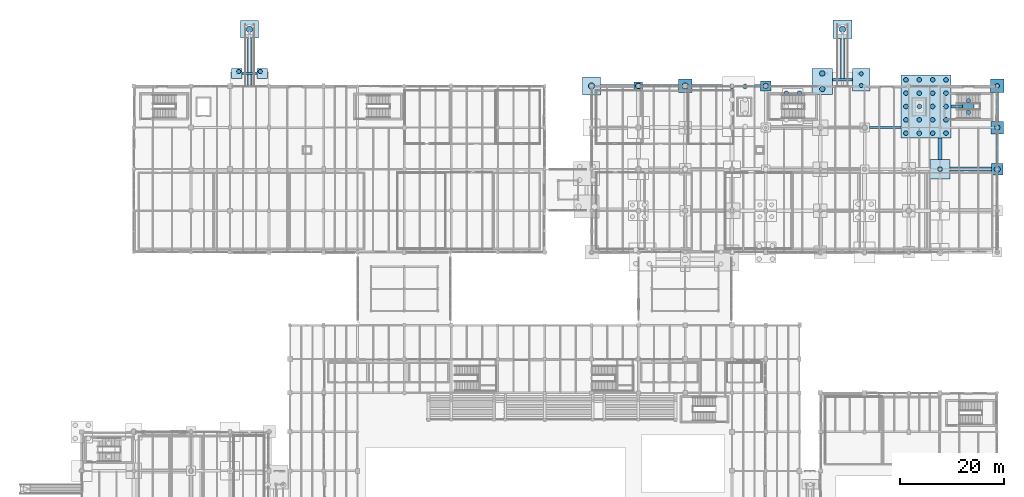
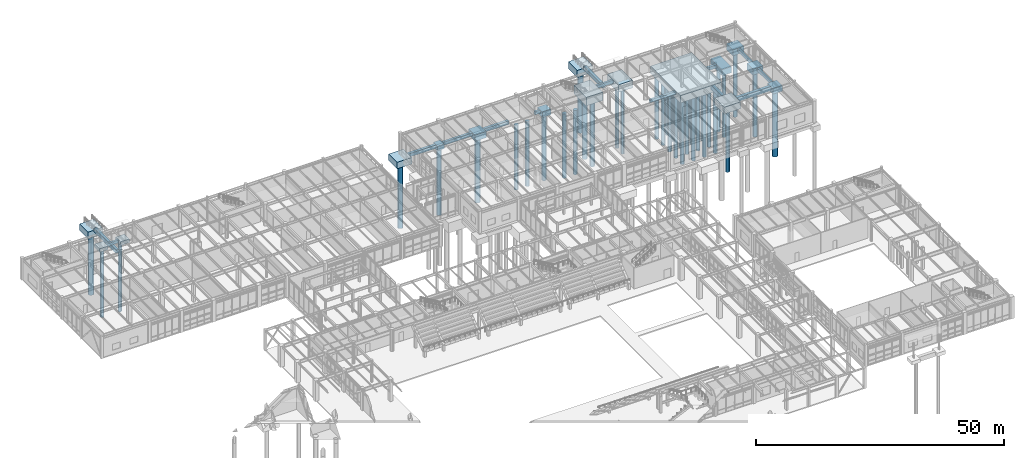
# One storey, part 6 of 203: 42 piles, 30 footings.
"""IFC4 building model written with IfcOpenShell, lengths in metres."""

import ifcopenshell
import ifcopenshell.guid

model = None  # the IFC model being written
_history = None  # IfcOwnerHistory: only IFC2X3 demands one
_inside = {}  # id of a spatial element -> (the spatial element, [elements in it])
_under = {}  # id of a project, library or spatial element -> (it, [spatial elements below it])
_declared = {}  # id of a project -> (the project, [libraries it declares])
_typed = {}  # id of a type object -> (the type object, [elements of that type])
_made_of = {}  # id of a material, layer set ... -> (it, [elements and type objects made of it])


def new_model(schema):
    """Start an empty IFC model of exactly this schema.

    Asked for "IFC4X3", IfcOpenShell would pick the latest addendum, in which some entities
    have other attributes; the version numbers below select the first issue.
    IFC2X3 requires an IfcOwnerHistory on every rooted entity: one is made here for all.
    """
    global model, _history
    if schema == "IFC4X3":
        model = ifcopenshell.file(schema_version=(4, 3, 0, 0))
    else:
        model = ifcopenshell.file(schema=schema)
    _inside.clear()
    _under.clear()
    _declared.clear()
    _typed.clear()
    _made_of.clear()
    _history = None
    if model.schema == "IFC2X3":
        org = make("IfcOrganization", Name="unknown")
        user = make(
            "IfcPersonAndOrganization",
            ThePerson=make("IfcPerson", FamilyName="unknown"),
            TheOrganization=org,
        )
        app = make(
            "IfcApplication",
            ApplicationDeveloper=org,
            Version="unknown",
            ApplicationFullName="unknown",
            ApplicationIdentifier="unknown",
        )
        _history = make(
            "IfcOwnerHistory",
            OwningUser=user,
            OwningApplication=app,
            ChangeAction="ADDED",
            CreationDate=0,
        )
    return model


def make(cls, **values):
    """One entity of the class cls with the attributes given. An attribute that is None is left unset."""
    return model.create_entity(
        cls, **{name: value for name, value in values.items() if value is not None}
    )


def rooted(cls, **values):
    """An entity with a GlobalId (a new one), such as an element, a storey or a relation."""
    return make(cls, GlobalId=ifcopenshell.guid.new(), OwnerHistory=_history, **values)


def si_unit(unit_type, name, prefix=None):
    """IfcSIUnit, for example si_unit("LENGTHUNIT", "METRE", prefix="MILLI")."""
    return make("IfcSIUnit", UnitType=unit_type, Prefix=prefix, Name=name)


def assignment(units):
    """IfcUnitAssignment: the units of a project."""
    return None if units is None else make("IfcUnitAssignment", Units=units)


def point(xyz):
    """IfcCartesianPoint."""
    return None if xyz is None else make("IfcCartesianPoint", Coordinates=xyz)


def direction(xyz):
    """IfcDirection."""
    return None if xyz is None else make("IfcDirection", DirectionRatios=xyz)


def frame(location, z_axis=None, x_axis=None):
    """IfcAxis2Placement3D, a coordinate frame: its origin and axes. An axis left out is left unset."""
    return make(
        "IfcAxis2Placement3D",
        Location=point(location),
        Axis=direction(z_axis),
        RefDirection=direction(x_axis),
    )


def frame_2d(location, x_axis=None):
    """IfcAxis2Placement2D, a coordinate frame in the plane: its origin and x axis."""
    return make(
        "IfcAxis2Placement2D", Location=point(location), RefDirection=direction(x_axis)
    )


def origin():
    """The frame at (0, 0, 0) with its axes left unset."""
    return frame((0.0, 0.0, 0.0))


def origin_2d():
    """The frame at (0, 0) in the plane with its x axis left unset."""
    return frame_2d((0.0, 0.0))


def place(relative_to, where):
    """IfcLocalPlacement: puts the frame where relative to a parent placement (None: the world)."""
    return make(
        "IfcLocalPlacement", PlacementRelTo=relative_to, RelativePlacement=where
    )


def context(
    kind, dimensions, precision=None, world=None, true_north=None, identifier=None
):
    """IfcGeometricRepresentationContext, for example the 3D "Model" context."""
    return make(
        "IfcGeometricRepresentationContext",
        ContextIdentifier=identifier,
        ContextType=kind,
        CoordinateSpaceDimension=dimensions,
        Precision=precision,
        WorldCoordinateSystem=world,
        TrueNorth=true_north,
    )


def subcontext(parent, identifier, kind, view, scale=None):
    """IfcGeometricRepresentationSubContext, for example "Body" below "Model"."""
    return make(
        "IfcGeometricRepresentationSubContext",
        ContextIdentifier=identifier,
        ContextType=kind,
        ParentContext=parent,
        TargetScale=scale,
        TargetView=view,
    )


def project(units=None, contexts=None):
    """IfcProject with its units and contexts."""
    return rooted(
        "IfcProject",
        Name="project",
        RepresentationContexts=contexts,
        UnitsInContext=assignment(units),
    )


def spatial(cls, under=None, at=None, **own):
    """A site, building, storey or space (cls), placed at a placement, below another one or the project."""
    s = rooted(cls, ObjectPlacement=at, **own)
    if under is not None:
        _under.setdefault(under.id(), (under, []))[1].append(s)
    return s


def polyline(points):
    """IfcPolyline through the points."""
    return make("IfcPolyline", Points=[point(p) for p in points])


def profile(cls, at=None, kind="AREA", **sizes):
    """A parametric profile (cls). Its sizes go by their IFC names, for example OverallWidth=200.0."""
    return make(cls, ProfileType=kind, Position=at, **sizes)


def circle(**sizes):
    """IfcCircleProfileDef."""
    return profile("IfcCircleProfileDef", **sizes)


def outline(outer, holes=None, kind="AREA"):
    """IfcArbitraryClosedProfileDef: a profile drawn as a closed curve; with holes, ...WithVoids."""
    if holes is None:
        return make("IfcArbitraryClosedProfileDef", ProfileType=kind, OuterCurve=outer)
    return make(
        "IfcArbitraryProfileDefWithVoids",
        ProfileType=kind,
        OuterCurve=outer,
        InnerCurves=holes,
    )


def extrude(swept, where, along, depth):
    """IfcExtrudedAreaSolid: the profile swept, set in the frame where, extruded along a direction by depth."""
    return make(
        "IfcExtrudedAreaSolid",
        SweptArea=swept,
        Position=where,
        ExtrudedDirection=direction(along),
        Depth=depth,
    )


def shape(context_of_items, identifier, shape_type, items):
    """IfcShapeRepresentation: the items that make up one representation, for example the "Body"."""
    return make(
        "IfcShapeRepresentation",
        ContextOfItems=context_of_items,
        RepresentationIdentifier=identifier,
        RepresentationType=shape_type,
        Items=items,
    )


def material(Name=None, Category=None):
    """IfcMaterial."""
    return make("IfcMaterial", Name=Name, Category=Category)


def material_profile(
    of_material, cross_section, Name=None, Category=None, Priority=None
):
    """IfcMaterialProfile: a cross section and its material."""
    return make(
        "IfcMaterialProfile",
        Name=Name,
        Material=of_material,
        Profile=cross_section,
        Priority=Priority,
        Category=Category,
    )


def profile_set(profiles, Name=None, composite=None):
    """IfcMaterialProfileSet."""
    return make(
        "IfcMaterialProfileSet",
        Name=Name,
        MaterialProfiles=profiles,
        CompositeProfile=composite,
    )


def made_of(thing, what):
    """Note that an element or type object is made of a material, layer set ...; save() writes the relation."""
    if what is not None:
        _made_of.setdefault(what.id(), (what, []))[1].append(thing)
    return thing


def type_object(cls, material=None, **own):
    """A type object (cls), such as IfcWallType, which elements share."""
    return made_of(rooted(cls, **own), material)


def element(
    cls,
    number,
    at=None,
    inside=None,
    cuts=None,
    type_object=None,
    material=None,
    context=None,
    identifier="Body",
    shape_type=None,
    held_by="IfcProductDefinitionShape",
    body=None,
    shapes=None,
    **own,
):
    """One element of the class cls, such as IfcWall. Its Tag is "e" and its number.

    at: its placement. inside: the storey or other place that contains it. cuts: it is an
    opening in that element (IfcRelVoidsElement). A single representation is given by context,
    identifier, shape_type and body (its items); several are given by shapes. held_by: the class
    of the entity that holds the representations. save() writes the other relations.
    """
    e = rooted(cls, Tag="e%d" % number, ObjectPlacement=at, **own)
    if body is not None:
        shapes = [shape(context, identifier, shape_type, body)]
    if shapes is not None:
        e.Representation = make(held_by, Representations=shapes)
    if inside is not None:
        _inside.setdefault(inside.id(), (inside, []))[1].append(e)
    if cuts is not None:
        rooted(
            "IfcRelVoidsElement", RelatingBuildingElement=cuts, RelatedOpeningElement=e
        )
    if type_object is not None:
        _typed.setdefault(type_object.id(), (type_object, []))[1].append(e)
    return made_of(e, material)


def aggregate(whole, parts):
    """IfcRelAggregates: a whole, such as a stair, and the parts it consists of."""
    return rooted("IfcRelAggregates", RelatingObject=whole, RelatedObjects=parts)


def save(model, path):
    """Write the relations noted so far, then the file.

    IfcRelAggregates (storeys below a building ...), IfcRelContainedInSpatialStructure (elements
    in a storey), IfcRelDefinesByType, IfcRelAssociatesMaterial and IfcRelDeclares: one each for
    every whole, place, type object, material and project.
    """
    for whole, parts in _under.values():
        aggregate(whole, parts)
    for where, things in _inside.values():
        rooted(
            "IfcRelContainedInSpatialStructure",
            RelatedElements=things,
            RelatingStructure=where,
        )
    for kind, things in _typed.values():
        rooted("IfcRelDefinesByType", RelatedObjects=things, RelatingType=kind)
    for what, things in _made_of.values():
        rooted("IfcRelAssociatesMaterial", RelatedObjects=things, RelatingMaterial=what)
    for by, libraries in _declared.values():
        rooted("IfcRelDeclares", RelatingContext=by, RelatedDefinitions=libraries)
    model.write(path)


model = new_model("IFC4")

# Units and contexts
model_context = context("Model", 3, precision=1e-05, world=origin(), true_north=direction((0.0, 1.0)))
body_context = subcontext(model_context, "Body", "Model", "MODEL_VIEW")
ifc_project = project(units=[si_unit("LENGTHUNIT", "METRE"), si_unit("AREAUNIT", "SQUARE_METRE"), si_unit("VOLUMEUNIT", "CUBIC_METRE"), si_unit("PLANEANGLEUNIT", "RADIAN"), si_unit("MASSUNIT", "GRAM", prefix="KILO"), si_unit("THERMODYNAMICTEMPERATUREUNIT", "KELVIN"), si_unit("POWERUNIT", "WATT")], contexts=[model_context])

# Site, building, storey
site_placement = place(None, origin())
site = spatial("IfcSite", under=ifc_project, at=site_placement, CompositionType="ELEMENT")
building_placement = place(site_placement, origin())
building = spatial("IfcBuilding", under=site, at=building_placement, Name="Tepalcoro Natatorium and Aquatics Centre", CompositionType="ELEMENT")
storey_placement = place(building_placement, origin())
storey = spatial("IfcBuildingStorey", under=building, at=storey_placement, Name="L00", CompositionType="ELEMENT", Elevation=0.0)

# Footings
ifc_material = material(Name="Concrete C40/50 (fc 40 MPa)", Category="concrete")
footing_type_1 = type_object("IfcFootingType", Name="FB_450x700", PredefinedType="FOOTING_BEAM", material=ifc_material)
footing_1_placement = place(storey_placement, frame((0.0, 0.0, -0.699951171875)))
element("IfcFooting", 1, at=footing_1_placement, inside=storey, type_object=footing_type_1, Name="V4 L00 Foundation Tie Beam X", PredefinedType="FOOTING_BEAM", context=body_context, shape_type="SweptSolid", body=[
    extrude(outline(polyline([(30.804931640625, 120.175048828125), (33.695068359375, 120.175048828125), (33.695068359375, 120.625), (30.804931640625, 120.625), (30.804931640625, 120.175048828125)])), origin(), (0.0, 0.0, 1.0), 0.699951171875),
])
footing_2_placement = place(storey_placement, frame((0.0, 0.0, -1.159912109375)))
element("IfcFooting", 2, at=footing_2_placement, inside=storey, type_object=footing_type_1, Name="V5 L00 Foundation Tie Beam X", PredefinedType="FOOTING_BEAM", context=body_context, shape_type="SweptSolid", body=[
    extrude(outline(polyline([(151.405029296875, 109.77490234375), (157.4951171875, 109.77490234375), (157.4951171875, 110.22509765625), (151.405029296875, 110.22509765625), (151.405029296875, 109.77490234375)])), origin(), (0.0, 0.0, 1.0), 0.699951171875),
])
footing_3_placement = place(storey_placement, frame((0.0, 0.0, -1.159912109375)))
element("IfcFooting", 3, at=footing_3_placement, inside=storey, type_object=footing_type_1, Name="V5 L00 Foundation Tie Beam Y", PredefinedType="FOOTING_BEAM", context=body_context, shape_type="SweptSolid", body=[
    extrude(outline(polyline([(176.22509765625, 111.205078125), (176.22509765625, 116.695068359375), (175.77490234375, 116.695068359375), (175.77490234375, 111.205078125), (176.22509765625, 111.205078125)])), origin(), (0.0, 0.0, 1.0), 0.699951171875),
])
footing_type_2 = type_object("IfcFootingType", Name="FB_500x750", PredefinedType="FOOTING_BEAM", material=ifc_material)
footing_4_placement = place(storey_placement, frame((0.0, 0.0, -1.2099609375)))
element("IfcFooting", 4, at=footing_4_placement, inside=storey, type_object=footing_type_2, Name="V5 L00 Foundation Tie Beam X", PredefinedType="FOOTING_BEAM", context=body_context, shape_type="SweptSolid", body=[
    extrude(outline(polyline([(129.304931640625, 117.75), (130.4951171875, 117.75), (130.4951171875, 118.25), (129.304931640625, 118.25), (129.304931640625, 117.75)])), origin(), (0.0, 0.0, 1.0), 0.75),
])
footing_5_placement = place(storey_placement, frame((0.0, 0.0, -0.75)))
element("IfcFooting", 5, at=footing_5_placement, inside=storey, type_object=footing_type_2, Name="V5 L00 Foundation Tie Beam X", PredefinedType="FOOTING_BEAM", context=body_context, shape_type="SweptSolid", body=[
    extrude(outline(polyline([(144.304931640625, 118.949951171875), (148.195068359375, 118.949951171875), (148.195068359375, 119.449951171875), (144.304931640625, 119.449951171875), (144.304931640625, 118.949951171875)])), origin(), (0.0, 0.0, 1.0), 0.75),
])
footing_6_placement = place(storey_placement, frame((0.0, 0.0, -1.2099609375)))
element("IfcFooting", 6, at=footing_6_placement, inside=storey, type_object=footing_type_2, Name="V5 L00 Foundation Tie Beam Y", PredefinedType="FOOTING_BEAM", context=body_context, shape_type="SweptSolid", body=[
    extrude(outline(polyline([(176.25, 103.10498046875), (176.25, 108.794921875), (175.75, 108.794921875), (175.75, 103.10498046875), (176.25, 103.10498046875)])), origin(), (0.0, 0.0, 1.0), 0.75),
])
footing_type_3 = type_object("IfcFootingType", Name="FB_550x800", PredefinedType="FOOTING_BEAM", material=ifc_material)
footing_7_placement = place(storey_placement, frame((0.0, 0.0, -1.260009765625)))
element("IfcFooting", 7, at=footing_7_placement, inside=storey, type_object=footing_type_3, Name="V5 L00 Foundation Tie Beam X", PredefinedType="FOOTING_BEAM", context=body_context, shape_type="SweptSolid", body=[
    extrude(outline(polyline([(107.804931640625, 117.72509765625), (114.695068359375, 117.72509765625), (114.695068359375, 118.27490234375), (107.804931640625, 118.27490234375), (107.804931640625, 117.72509765625)])), origin(), (0.0, 0.0, 1.0), 0.800048828125),
])
footing_8_placement = place(storey_placement, frame((0.0, 0.0, -1.260009765625)))
element("IfcFooting", 8, at=footing_8_placement, inside=storey, type_object=footing_type_3, Name="V5 L00 Foundation Tie Beam X", PredefinedType="FOOTING_BEAM", context=body_context, shape_type="SweptSolid", body=[
    extrude(outline(polyline([(167.10498046875, 113.77490234375), (169.344970703125, 113.77490234375), (169.344970703125, 114.324951171875), (167.10498046875, 114.324951171875), (167.10498046875, 113.77490234375)])), origin(), (0.0, 0.0, 1.0), 0.800048828125),
])
footing_type_4 = type_object("IfcFootingType", Name="FB_600x850", PredefinedType="FOOTING_BEAM", material=ifc_material)
footing_9_placement = place(storey_placement, frame((0.0, 0.0, -1.31005859375)))
element("IfcFooting", 9, at=footing_9_placement, inside=storey, type_object=footing_type_4, Name="V5 L00 Foundation Tie Beam X", PredefinedType="FOOTING_BEAM", context=body_context, shape_type="SweptSolid", body=[
    extrude(outline(polyline([(99.705078125, 117.699951171875), (106.195068359375, 117.699951171875), (106.195068359375, 118.300048828125), (99.705078125, 118.300048828125), (99.705078125, 117.699951171875)])), origin(), (0.0, 0.0, 1.0), 0.85009765625),
])
footing_10_placement = place(storey_placement, frame((0.0, 0.0, -1.31005859375)))
element("IfcFooting", 10, at=footing_10_placement, inside=storey, type_object=footing_type_4, Name="V5 L00 Foundation Tie Beam X", PredefinedType="FOOTING_BEAM", context=body_context, shape_type="SweptSolid", body=[
    extrude(outline(polyline([(117.304931640625, 117.699951171875), (123.195068359375, 117.699951171875), (123.195068359375, 118.300048828125), (117.304931640625, 118.300048828125), (117.304931640625, 117.699951171875)])), origin(), (0.0, 0.0, 1.0), 0.85009765625),
])
footing_type_5 = type_object("IfcFootingType", Name="FB_700x950", PredefinedType="FOOTING_BEAM", material=ifc_material)
footing_11_placement = place(storey_placement, frame((0.0, 0.0, -1.409912109375)))
element("IfcFooting", 11, at=footing_11_placement, inside=storey, type_object=footing_type_5, Name="V5 L00 Foundation Tie Beam Y", PredefinedType="FOOTING_BEAM", context=body_context, shape_type="SweptSolid", body=[
    extrude(outline(polyline([(165.35009765625, 103.905029296875), (165.35009765625, 107.9951171875), (164.64990234375, 107.9951171875), (164.64990234375, 103.905029296875), (165.35009765625, 103.905029296875)])), origin(), (0.0, 0.0, 1.0), 0.949951171875),
])
footing_type_6 = type_object("IfcFootingType", Name="FB_750x1000", PredefinedType="FOOTING_BEAM", material=ifc_material)
footing_12_placement = place(storey_placement, frame((0.0, 0.0, -1.4599609375)))
element("IfcFooting", 12, at=footing_12_placement, inside=storey, type_object=footing_type_6, Name="V5 L00 Foundation Tie Beam X", PredefinedType="FOOTING_BEAM", context=body_context, shape_type="SweptSolid", body=[
    extrude(outline(polyline([(166.905029296875, 101.625), (174.89501953125, 101.625), (174.89501953125, 102.375), (166.905029296875, 102.375), (166.905029296875, 101.625)])), origin(), (0.0, 0.0, 1.0), 1.0),
])
footing_type_7 = type_object("IfcFootingType", Name="PC_1600x1600x1200", PredefinedType="PILE_CAP", material=ifc_material)
footing_13_placement = place(storey_placement, frame((0.0, 0.0, -1.659912109375)))
element("IfcFooting", 13, at=footing_13_placement, inside=storey, type_object=footing_type_7, Name="V5 Reinforced Concrete Pile Cap 279", PredefinedType="PILE_CAP", context=body_context, shape_type="SweptSolid", body=[
    extrude(outline(polyline([(106.199951171875, 117.199951171875), (107.800048828125, 117.199951171875), (107.800048828125, 118.800048828125), (106.199951171875, 118.800048828125), (106.199951171875, 117.199951171875)])), origin(), (0.0, 0.0, 1.0), 1.199951171875),
])
footing_type_8 = type_object("IfcFootingType", Name="PC_2000x2000x1400", PredefinedType="PILE_CAP", material=ifc_material)
footing_14_placement = place(storey_placement, frame((0.0, 0.0, -1.860107421875)))
element("IfcFooting", 14, at=footing_14_placement, inside=storey, type_object=footing_type_8, Name="V5 Reinforced Concrete Pile Cap 291", PredefinedType="PILE_CAP", context=body_context, shape_type="SweptSolid", body=[
    extrude(outline(polyline([(130.5, 117.0), (132.5, 117.0), (132.5, 119.0), (130.5, 119.0), (130.5, 117.0)])), origin(), (0.0, 0.0, 1.0), 1.400146484375),
])
footing_15_placement = place(storey_placement, frame((0.0, 0.0, -1.860107421875)))
element("IfcFooting", 15, at=footing_15_placement, inside=storey, type_object=footing_type_8, Name="V5 Reinforced Concrete Pile Cap 301", PredefinedType="PILE_CAP", context=body_context, shape_type="SweptSolid", body=[
    extrude(outline(polyline([(148.199951171875, 117.0), (151.5, 117.0), (151.5, 121.39990234375), (148.199951171875, 121.39990234375), (148.199951171875, 117.0)])), origin(), (0.0, 0.0, 1.0), 1.860107421875),
])
footing_type_9 = type_object("IfcFootingType", Name="PC_200x200x85", PredefinedType="PILE_CAP", material=ifc_material)
footing_16_placement = place(storey_placement, frame((0.0, 0.0, -0.85009765625)))
element("IfcFooting", 16, at=footing_16_placement, inside=storey, type_object=footing_type_9, Name="V4 Reinforced Concrete Pile Cap 267", PredefinedType="PILE_CAP", context=body_context, shape_type="SweptSolid", body=[
    extrude(outline(polyline([(28.800048828125, 119.39990234375), (30.800048828125, 119.39990234375), (30.800048828125, 121.39990234375), (28.800048828125, 121.39990234375), (28.800048828125, 119.39990234375)])), origin(), (0.0, 0.0, 1.0), 0.85009765625),
])
footing_17_placement = place(storey_placement, frame((0.0, 0.0, -0.85009765625)))
element("IfcFooting", 17, at=footing_17_placement, inside=storey, type_object=footing_type_9, Name="V4 Reinforced Concrete Pile Cap 269", PredefinedType="PILE_CAP", context=body_context, shape_type="SweptSolid", body=[
    extrude(outline(polyline([(33.699951171875, 119.39990234375), (35.699951171875, 119.39990234375), (35.699951171875, 121.39990234375), (33.699951171875, 121.39990234375), (33.699951171875, 119.39990234375)])), origin(), (0.0, 0.0, 1.0), 0.85009765625),
])
footing_type_10 = type_object("IfcFootingType", Name="PC_2200x2200x1400", PredefinedType="PILE_CAP", material=ifc_material)
footing_18_placement = place(storey_placement, frame((0.0, 0.0, -1.860107421875)))
element("IfcFooting", 18, at=footing_18_placement, inside=storey, type_object=footing_type_10, Name="V5 Reinforced Concrete Pile Cap 316", PredefinedType="PILE_CAP", context=body_context, shape_type="SweptSolid", body=[
    extrude(outline(polyline([(174.89990234375, 100.89990234375), (177.10009765625, 100.89990234375), (177.10009765625, 103.10009765625), (174.89990234375, 103.10009765625), (174.89990234375, 100.89990234375)])), origin(), (0.0, 0.0, 1.0), 1.400146484375),
])
footing_type_11 = type_object("IfcFootingType", Name="PC_2200x4600x1500", PredefinedType="PILE_CAP", material=ifc_material)
footing_19_placement = place(storey_placement, frame((0.0, 0.0, -1.9599609375)))
element("IfcFooting", 19, at=footing_19_placement, inside=storey, type_object=footing_type_11, Name="V5 Reinforced Concrete Pile Cap 313", PredefinedType="PILE_CAP", context=body_context, shape_type="SweptSolid", body=[
    extrude(outline(polyline([(169.35009765625, 111.75), (171.550048828125, 111.75), (171.550048828125, 116.35009765625), (169.35009765625, 116.35009765625), (169.35009765625, 111.75)])), origin(), (0.0, 0.0, 1.0), 1.5),
])
footing_type_12 = type_object("IfcFootingType", Name="PC_2400x2400x1500", PredefinedType="PILE_CAP", material=ifc_material)
footing_20_placement = place(storey_placement, frame((0.0, 0.0, -1.9599609375)))
element("IfcFooting", 20, at=footing_20_placement, inside=storey, type_object=footing_type_12, Name="V5 Reinforced Concrete Pile Cap 315", PredefinedType="PILE_CAP", context=body_context, shape_type="SweptSolid", body=[
    extrude(outline(polyline([(174.800048828125, 108.800048828125), (177.199951171875, 108.800048828125), (177.199951171875, 111.199951171875), (174.800048828125, 111.199951171875), (174.800048828125, 108.800048828125)])), origin(), (0.0, 0.0, 1.0), 1.5),
])
footing_type_13 = type_object("IfcFootingType", Name="PC_2600x2600x1500", PredefinedType="PILE_CAP", material=ifc_material)
footing_21_placement = place(storey_placement, frame((0.0, 0.0, -1.9599609375)))
element("IfcFooting", 21, at=footing_21_placement, inside=storey, type_object=footing_type_13, Name="V5 Reinforced Concrete Pile Cap 280", PredefinedType="PILE_CAP", context=body_context, shape_type="SweptSolid", body=[
    extrude(outline(polyline([(114.699951171875, 116.699951171875), (117.300048828125, 116.699951171875), (117.300048828125, 119.300048828125), (114.699951171875, 119.300048828125), (114.699951171875, 116.699951171875)])), origin(), (0.0, 0.0, 1.0), 1.5),
])
footing_22_placement = place(storey_placement, frame((0.0, 0.0, -1.9599609375)))
element("IfcFooting", 22, at=footing_22_placement, inside=storey, type_object=footing_type_13, Name="V5 Reinforced Concrete Pile Cap 314", PredefinedType="PILE_CAP", context=body_context, shape_type="SweptSolid", body=[
    extrude(outline(polyline([(174.699951171875, 116.699951171875), (177.300048828125, 116.699951171875), (177.300048828125, 119.300048828125), (174.699951171875, 119.300048828125), (174.699951171875, 116.699951171875)])), origin(), (0.0, 0.0, 1.0), 1.5),
])
footing_type_14 = type_object("IfcFootingType", Name="PC_3200x3200x1600", PredefinedType="PILE_CAP", material=ifc_material)
footing_23_placement = place(storey_placement, frame((0.0, 0.0, -2.06005859375)))
element("IfcFooting", 23, at=footing_23_placement, inside=storey, type_object=footing_type_14, Name="V5 Reinforced Concrete Pile Cap 295", PredefinedType="PILE_CAP", context=body_context, shape_type="SweptSolid", body=[
    extrude(outline(polyline([(140.39990234375, 116.39990234375), (144.300048828125, 116.39990234375), (144.300048828125, 121.39990234375), (140.39990234375, 121.39990234375), (140.39990234375, 116.39990234375)])), origin(), (0.0, 0.0, 1.0), 2.06005859375),
])
footing_type_15 = type_object("IfcFootingType", Name="PC_3400x3400x1600", PredefinedType="PILE_CAP", material=ifc_material)
footing_24_placement = place(storey_placement, frame((0.0, 0.0, -2.85009765625)))
element("IfcFooting", 24, at=footing_24_placement, inside=storey, type_object=footing_type_15, Name="V4 Reinforced Concrete Pile Cap 268", PredefinedType="PILE_CAP", context=body_context, shape_type="SweptSolid", body=[
    extrude(outline(polyline([(30.550048828125, 127.179931640625), (33.949951171875, 127.179931640625), (33.949951171875, 130.580078125), (30.550048828125, 130.580078125), (30.550048828125, 127.179931640625)])), origin(), (0.0, 0.0, 1.0), 1.60009765625),
])
footing_25_placement = place(storey_placement, frame((0.0, 0.0, -2.06005859375)))
element("IfcFooting", 25, at=footing_25_placement, inside=storey, type_object=footing_type_15, Name="V5 Reinforced Concrete Pile Cap 272", PredefinedType="PILE_CAP", context=body_context, shape_type="SweptSolid", body=[
    extrude(outline(polyline([(96.300048828125, 116.300048828125), (99.699951171875, 116.300048828125), (99.699951171875, 119.699951171875), (96.300048828125, 119.699951171875), (96.300048828125, 116.300048828125)])), origin(), (0.0, 0.0, 1.0), 1.60009765625),
])
footing_type_16 = type_object("IfcFootingType", Name="PC_3600x3600x1700", PredefinedType="PILE_CAP", material=ifc_material)
footing_26_placement = place(storey_placement, frame((0.0, 0.0, -2.949951171875)))
element("IfcFooting", 26, at=footing_26_placement, inside=storey, type_object=footing_type_16, Name="V5 Reinforced Concrete Pile Cap 300", PredefinedType="PILE_CAP", context=body_context, shape_type="SweptSolid", body=[
    extrude(outline(polyline([(144.449951171875, 127.080078125), (148.050048828125, 127.080078125), (148.050048828125, 130.679931640625), (144.449951171875, 130.679931640625), (144.449951171875, 127.080078125)])), origin(), (0.0, 0.0, 1.0), 1.699951171875),
])
footing_type_17 = type_object("IfcFootingType", Name="PC_3800x3800x1700", PredefinedType="PILE_CAP", material=ifc_material)
footing_27_placement = place(storey_placement, frame((0.0, 0.0, -2.159912109375)))
element("IfcFooting", 27, at=footing_27_placement, inside=storey, type_object=footing_type_17, Name="V5 Reinforced Concrete Pile Cap 310", PredefinedType="PILE_CAP", context=body_context, shape_type="SweptSolid", body=[
    extrude(outline(polyline([(163.10009765625, 100.10009765625), (166.89990234375, 100.10009765625), (166.89990234375, 103.89990234375), (163.10009765625, 103.89990234375), (163.10009765625, 100.10009765625)])), origin(), (0.0, 0.0, 1.0), 1.699951171875),
])
footing_type_18 = type_object("IfcFootingType", Name="PC_4000x4000x1800", PredefinedType="PILE_CAP", material=ifc_material)
footing_28_placement = place(storey_placement, frame((0.0, 0.0, -2.260009765625)))
element("IfcFooting", 28, at=footing_28_placement, inside=storey, type_object=footing_type_18, Name="V5 Reinforced Concrete Pile Cap 306", PredefinedType="PILE_CAP", context=body_context, shape_type="SweptSolid", body=[
    extrude(outline(polyline([(157.5, 108.0), (167.10009765625, 108.0), (167.10009765625, 120.10009765625), (157.5, 120.10009765625), (157.5, 108.0)])), origin(), (0.0, 0.0, 1.0), 1.800048828125),
])

# Piles
ifc_material_profile_1 = material_profile(ifc_material, circle(Radius=0.52490234375, at=origin_2d()), Name="PILE_D1050")
ifc_profile_set_1 = profile_set([ifc_material_profile_1], Name="Concrete C40/50 (fc 40 MPa)")
pile_type_1 = type_object("IfcPileType", Name="PILE_D1050", PredefinedType="BORED", material=ifc_profile_set_1)
pile_1_placement = place(storey_placement, frame((107.0, 118.0, -1.56005859375), z_axis=(0.0, 0.0, -1.0), x_axis=(1.0, 0.0, 0.0)))
element("IfcPile", 29, at=pile_1_placement, inside=storey, type_object=pile_type_1, Name="Bored Pile PILE_D1050 under PC_V5_0278", PredefinedType="BORED", context=body_context, shape_type="SweptSolid", body=[
    extrude(circle(Radius=0.52490234375, at=origin_2d()), origin(), (0.0, 0.0, 1.0), 16.43994140625),
])
pile_2_placement = place(storey_placement, frame((131.5, 118.0, -1.760009765625), z_axis=(0.0, 0.0, -1.0), x_axis=(1.0, 0.0, 0.0)))
element("IfcPile", 30, at=pile_2_placement, inside=storey, type_object=pile_type_1, Name="Bored Pile PILE_D1050 under PC_V5_0290", PredefinedType="BORED", context=body_context, shape_type="SweptSolid", body=[
    extrude(circle(Radius=0.52490234375, at=origin_2d()), origin(), (0.0, 0.0, 1.0), 16.239990234375),
])
for number, where, z_axis, x_axis, name in (
    (31, (142.35009765625, 117.40380859375, -1.9599609375), (0.0, 0.0, -1.0), (1.0, 0.0, 0.0), "Bored Pile PILE_D1050 under PC_V5_0294"),
    (32, (142.35009765625, 120.396240234375, -1.9599609375), (0.0, 0.0, -1.0), (1.0, 0.0, 0.0), "Bored Pile PILE_D1050 under PC_V5_0294"),
):
    element("IfcPile", number, at=place(storey_placement, frame(where, z_axis=z_axis, x_axis=x_axis)), inside=storey, type_object=pile_type_1, Name=name, PredefinedType="BORED", context=body_context, shape_type="SweptSolid", body=[
        extrude(circle(Radius=0.52490234375, at=origin_2d()), origin(), (0.0, 0.0, 1.0), 16.0400390625),
    ])
pile_3_placement = place(storey_placement, frame((176.0, 110.0, -1.860107421875), z_axis=(0.0, 0.0, -1.0), x_axis=(1.0, 0.0, 0.0)))
element("IfcPile", 33, at=pile_3_placement, inside=storey, type_object=pile_type_1, Name="Bored Pile PILE_D1050 under PC_V5_0314", PredefinedType="BORED", context=body_context, shape_type="SweptSolid", body=[
    extrude(circle(Radius=0.52490234375, at=origin_2d()), origin(), (0.0, 0.0, 1.0), 16.139892578125),
])
ifc_material_profile_2 = material_profile(ifc_material, circle(Radius=0.60009765625, at=origin_2d()), Name="PILE_D1200")
ifc_profile_set_2 = profile_set([ifc_material_profile_2], Name="Concrete C40/50 (fc 40 MPa)")
pile_type_2 = type_object("IfcPileType", Name="PILE_D1200", PredefinedType="BORED", material=ifc_profile_set_2)
pile_4_placement = place(storey_placement, frame((32.25, 128.8798828125, -2.75), z_axis=(0.0, 0.0, -1.0), x_axis=(1.0, 0.0, 0.0)))
element("IfcPile", 34, at=pile_4_placement, inside=storey, type_object=pile_type_2, Name="Bored Pile PILE_D1200 under PC_V4_0267", PredefinedType="BORED", context=body_context, shape_type="SweptSolid", body=[
    extrude(circle(Radius=0.60009765625, at=origin_2d()), origin(), (0.0, 0.0, 1.0), 15.25),
])
pile_5_placement = place(storey_placement, frame((98.0, 118.0, -1.9599609375), z_axis=(0.0, 0.0, -1.0), x_axis=(1.0, 0.0, 0.0)))
element("IfcPile", 35, at=pile_5_placement, inside=storey, type_object=pile_type_2, Name="Bored Pile PILE_D1200 under PC_V5_0271", PredefinedType="BORED", context=body_context, shape_type="SweptSolid", body=[
    extrude(circle(Radius=0.60009765625, at=origin_2d()), origin(), (0.0, 0.0, 1.0), 16.0400390625),
])
pile_6_placement = place(storey_placement, frame((116.0, 118.0, -1.860107421875), z_axis=(0.0, 0.0, -1.0), x_axis=(1.0, 0.0, 0.0)))
element("IfcPile", 36, at=pile_6_placement, inside=storey, type_object=pile_type_2, Name="Bored Pile PILE_D1200 under PC_V5_0279", PredefinedType="BORED", context=body_context, shape_type="SweptSolid", body=[
    extrude(circle(Radius=0.60009765625, at=origin_2d()), origin(), (0.0, 0.0, 1.0), 16.139892578125),
])
pile_7_placement = place(storey_placement, frame((146.25, 128.8798828125, -2.85009765625), z_axis=(0.0, 0.0, -1.0), x_axis=(1.0, 0.0, 0.0)))
element("IfcPile", 37, at=pile_7_placement, inside=storey, type_object=pile_type_2, Name="Bored Pile PILE_D1200 under PC_V5_0299", PredefinedType="BORED", context=body_context, shape_type="SweptSolid", body=[
    extrude(circle(Radius=0.60009765625, at=origin_2d()), origin(), (0.0, 0.0, 1.0), 15.14990234375),
])
pile_8_placement = place(storey_placement, frame((176.0, 102.0, -1.760009765625), z_axis=(0.0, 0.0, -1.0), x_axis=(1.0, 0.0, 0.0)))
element("IfcPile", 38, at=pile_8_placement, inside=storey, type_object=pile_type_2, Name="Bored Pile PILE_D1200 under PC_V5_0315", PredefinedType="BORED", context=body_context, shape_type="SweptSolid", body=[
    extrude(circle(Radius=0.60009765625, at=origin_2d()), origin(), (0.0, 0.0, 1.0), 16.239990234375),
])
ifc_material_profile_3 = material_profile(ifc_material, circle(Radius=0.39990234375, at=origin_2d()), Name="PILE_D800")
ifc_profile_set_3 = profile_set([ifc_material_profile_3], Name="Concrete C40/50 (fc 40 MPa)")
pile_type_3 = type_object("IfcPileType", Name="PILE_D800", PredefinedType="BORED", material=ifc_profile_set_3)
for number, where, z_axis, x_axis, name in (
    (39, (30.179931640625, 120.780029296875, -0.75), (0.0, 0.0, -1.0), (1.0, 0.0, 0.0), "Bored Pile PILE_D800 under PC_V4_0266"),
    (40, (34.320068359375, 120.780029296875, -0.75), (0.0, 0.0, -1.0), (1.0, 0.0, 0.0), "Bored Pile PILE_D800 under PC_V4_0268"),
):
    element("IfcPile", number, at=place(storey_placement, frame(where, z_axis=z_axis, x_axis=x_axis)), inside=storey, type_object=pile_type_3, Name=name, PredefinedType="BORED", context=body_context, shape_type="SweptSolid", body=[
        extrude(circle(Radius=0.39990234375, at=origin_2d()), origin(), (0.0, 0.0, 1.0), 17.25),
    ])
for number, where, z_axis, x_axis, name in (
    (41, (149.85009765625, 118.06005859375, -1.760009765625), (0.0, 0.0, -1.0), (1.0, 0.0, 0.0), "Bored Pile PILE_D800 under PC_V5_0300"),
    (42, (149.85009765625, 120.340087890625, -1.760009765625), (0.0, 0.0, -1.0), (1.0, 0.0, 0.0), "Bored Pile PILE_D800 under PC_V5_0300"),
):
    element("IfcPile", number, at=place(storey_placement, frame(where, z_axis=z_axis, x_axis=x_axis)), inside=storey, type_object=pile_type_3, Name=name, PredefinedType="BORED", context=body_context, shape_type="SweptSolid", body=[
        extrude(circle(Radius=0.39990234375, at=origin_2d()), origin(), (0.0, 0.0, 1.0), 16.239990234375),
    ])
for number, where, z_axis, x_axis, name in (
    (43, (170.449951171875, 112.909912109375, -1.860107421875), (0.0, 0.0, -1.0), (1.0, 0.0, 0.0), "Bored Pile PILE_D800 under PC_V5_0312"),
    (44, (170.449951171875, 115.18994140625, -1.860107421875), (0.0, 0.0, -1.0), (1.0, 0.0, 0.0), "Bored Pile PILE_D800 under PC_V5_0312"),
):
    element("IfcPile", number, at=place(storey_placement, frame(where, z_axis=z_axis, x_axis=x_axis)), inside=storey, type_object=pile_type_3, Name=name, PredefinedType="BORED", context=body_context, shape_type="SweptSolid", body=[
        extrude(circle(Radius=0.39990234375, at=origin_2d()), origin(), (0.0, 0.0, 1.0), 16.139892578125),
    ])
ifc_material_profile_4 = material_profile(ifc_material, circle(Radius=0.449951171875, at=origin_2d()), Name="PILE_D900")
ifc_profile_set_4 = profile_set([ifc_material_profile_4], Name="Concrete C40/50 (fc 40 MPa)")
pile_type_4 = type_object("IfcPileType", Name="PILE_D900", PredefinedType="BORED", material=ifc_profile_set_4)
for number, where, z_axis, x_axis, name in (
    (45, (124.967529296875, 117.8974609375, -2.06005859375), (0.0, 0.0, -1.0), (1.0, 0.0, 0.0), "Bored Pile PILE_D900 under PC_V5_0285"),
    (46, (127.532470703125, 117.8974609375, -2.06005859375), (0.0, 0.0, -1.0), (1.0, 0.0, 0.0), "Bored Pile PILE_D900 under PC_V5_0285"),
):
    element("IfcPile", number, at=place(storey_placement, frame(where, z_axis=z_axis, x_axis=x_axis)), inside=storey, type_object=pile_type_4, Name=name, PredefinedType="BORED", context=body_context, shape_type="SweptSolid", body=[
        extrude(circle(Radius=0.449951171875, at=origin_2d()), origin(), (0.0, 0.0, 1.0), 15.93994140625),
    ])
for number, where, z_axis, x_axis, name in (
    (47, (135.41748046875, 116.614990234375, -2.159912109375), (0.0, 0.0, -1.0), (1.0, 0.0, 0.0), "Bored Pile PILE_D900 under PC_V5_0293"),
    (48, (137.982421875, 116.614990234375, -2.159912109375), (0.0, 0.0, -1.0), (1.0, 0.0, 0.0), "Bored Pile PILE_D900 under PC_V5_0293"),
    (49, (158.452392578125, 108.919921875, -2.159912109375), (0.0, 0.0, -1.0), (1.0, 0.0, 0.0), "Bored Pile PILE_D900 under PC_V5_0305"),
    (50, (158.452392578125, 111.485107421875, -2.159912109375), (0.0, 0.0, -1.0), (1.0, 0.0, 0.0), "Bored Pile PILE_D900 under PC_V5_0305"),
    (51, (158.452392578125, 114.050048828125, -2.159912109375), (0.0, 0.0, -1.0), (1.0, 0.0, 0.0), "Bored Pile PILE_D900 under PC_V5_0305"),
    (52, (158.452392578125, 116.614990234375, -2.159912109375), (0.0, 0.0, -1.0), (1.0, 0.0, 0.0), "Bored Pile PILE_D900 under PC_V5_0305"),
    (53, (158.452392578125, 119.179931640625, -2.159912109375), (0.0, 0.0, -1.0), (1.0, 0.0, 0.0), "Bored Pile PILE_D900 under PC_V5_0305"),
    (54, (161.017578125, 108.919921875, -2.159912109375), (0.0, 0.0, -1.0), (1.0, 0.0, 0.0), "Bored Pile PILE_D900 under PC_V5_0305"),
    (55, (161.017578125, 111.485107421875, -2.159912109375), (0.0, 0.0, -1.0), (1.0, 0.0, 0.0), "Bored Pile PILE_D900 under PC_V5_0305"),
    (56, (161.017578125, 114.050048828125, -2.159912109375), (0.0, 0.0, -1.0), (1.0, 0.0, 0.0), "Bored Pile PILE_D900 under PC_V5_0305"),
    (57, (161.017578125, 116.614990234375, -2.159912109375), (0.0, 0.0, -1.0), (1.0, 0.0, 0.0), "Bored Pile PILE_D900 under PC_V5_0305"),
    (58, (161.017578125, 119.179931640625, -2.159912109375), (0.0, 0.0, -1.0), (1.0, 0.0, 0.0), "Bored Pile PILE_D900 under PC_V5_0305"),
    (59, (163.58251953125, 108.919921875, -2.159912109375), (0.0, 0.0, -1.0), (1.0, 0.0, 0.0), "Bored Pile PILE_D900 under PC_V5_0305"),
    (60, (163.58251953125, 111.485107421875, -2.159912109375), (0.0, 0.0, -1.0), (1.0, 0.0, 0.0), "Bored Pile PILE_D900 under PC_V5_0305"),
    (61, (163.58251953125, 114.050048828125, -2.159912109375), (0.0, 0.0, -1.0), (1.0, 0.0, 0.0), "Bored Pile PILE_D900 under PC_V5_0305"),
    (62, (163.58251953125, 116.614990234375, -2.159912109375), (0.0, 0.0, -1.0), (1.0, 0.0, 0.0), "Bored Pile PILE_D900 under PC_V5_0305"),
    (63, (163.58251953125, 119.179931640625, -2.159912109375), (0.0, 0.0, -1.0), (1.0, 0.0, 0.0), "Bored Pile PILE_D900 under PC_V5_0305"),
    (64, (166.1474609375, 108.919921875, -2.159912109375), (0.0, 0.0, -1.0), (1.0, 0.0, 0.0), "Bored Pile PILE_D900 under PC_V5_0305"),
    (65, (166.1474609375, 111.485107421875, -2.159912109375), (0.0, 0.0, -1.0), (1.0, 0.0, 0.0), "Bored Pile PILE_D900 under PC_V5_0305"),
    (66, (166.1474609375, 114.050048828125, -2.159912109375), (0.0, 0.0, -1.0), (1.0, 0.0, 0.0), "Bored Pile PILE_D900 under PC_V5_0305"),
    (67, (166.1474609375, 116.614990234375, -2.159912109375), (0.0, 0.0, -1.0), (1.0, 0.0, 0.0), "Bored Pile PILE_D900 under PC_V5_0305"),
    (68, (166.1474609375, 119.179931640625, -2.159912109375), (0.0, 0.0, -1.0), (1.0, 0.0, 0.0), "Bored Pile PILE_D900 under PC_V5_0305"),
):
    element("IfcPile", number, at=place(storey_placement, frame(where, z_axis=z_axis, x_axis=x_axis)), inside=storey, type_object=pile_type_4, Name=name, PredefinedType="BORED", context=body_context, shape_type="SweptSolid", body=[
        extrude(circle(Radius=0.449951171875, at=origin_2d()), origin(), (0.0, 0.0, 1.0), 15.840087890625),
    ])
pile_9_placement = place(storey_placement, frame((165.0, 102.0, -2.06005859375), z_axis=(0.0, 0.0, -1.0), x_axis=(1.0, 0.0, 0.0)))
element("IfcPile", 69, at=pile_9_placement, inside=storey, type_object=pile_type_4, Name="Bored Pile PILE_D900 under PC_V5_0309", PredefinedType="BORED", context=body_context, shape_type="SweptSolid", body=[
    extrude(circle(Radius=0.449951171875, at=origin_2d()), origin(), (0.0, 0.0, 1.0), 15.93994140625),
])
pile_10_placement = place(storey_placement, frame((176.0, 118.0, -1.860107421875), z_axis=(0.0, 0.0, -1.0), x_axis=(1.0, 0.0, 0.0)))
element("IfcPile", 70, at=pile_10_placement, inside=storey, type_object=pile_type_4, Name="Bored Pile PILE_D900 under PC_V5_0313", PredefinedType="BORED", context=body_context, shape_type="SweptSolid", body=[
    extrude(circle(Radius=0.449951171875, at=origin_2d()), origin(), (0.0, 0.0, 1.0), 16.139892578125),
])

# Footings
footing_type_19 = type_object("IfcFootingType", Name="SF_700x800", PredefinedType="STRIP_FOOTING", material=ifc_material)
footing_29_placement = place(storey_placement, frame((0.0, 0.0, -1.5)))
element("IfcFooting", 71, at=footing_29_placement, inside=storey, type_object=footing_type_19, Name="RMP05 Ramp Foundation Strip Footing", PredefinedType="STRIP_FOOTING", context=body_context, shape_type="SweptSolid", body=[
    extrude(outline(polyline([(32.60009765625, 118.22998046875), (31.89990234375, 118.22998046875), (31.89990234375, 127.1650390625), (32.60009765625, 127.1650390625), (32.60009765625, 118.22998046875)])), origin(), (0.0, 0.0, 1.0), 0.800048828125),
])
footing_30_placement = place(storey_placement, frame((0.0, 0.0, -1.5)))
element("IfcFooting", 72, at=footing_30_placement, inside=storey, type_object=footing_type_19, Name="RMP06 Ramp Foundation Strip Footing", PredefinedType="STRIP_FOOTING", context=body_context, shape_type="SweptSolid", body=[
    extrude(outline(polyline([(145.89990234375, 127.06494140625), (146.60009765625, 127.06494140625), (146.60009765625, 119.465087890625), (145.89990234375, 119.465087890625), (145.89990234375, 127.06494140625)])), origin(), (0.0, 0.0, 1.0), 0.800048828125),
])

save(model, "model.ifc")
